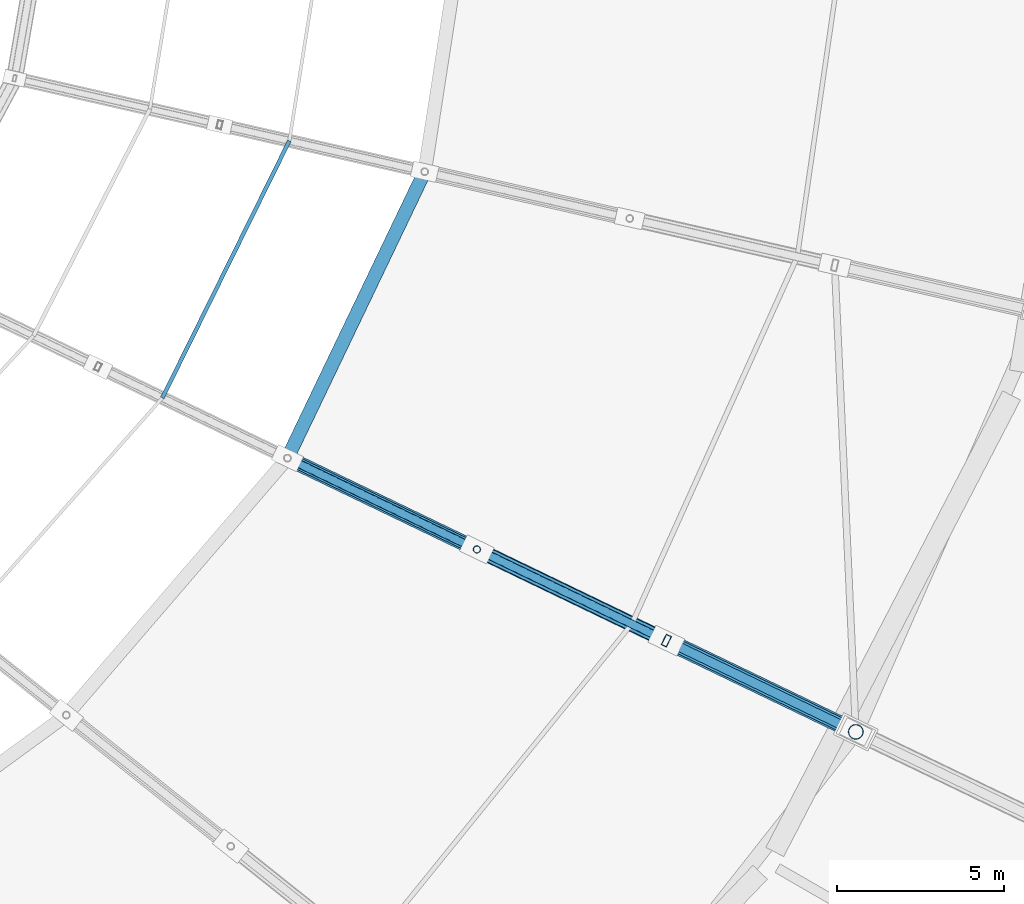
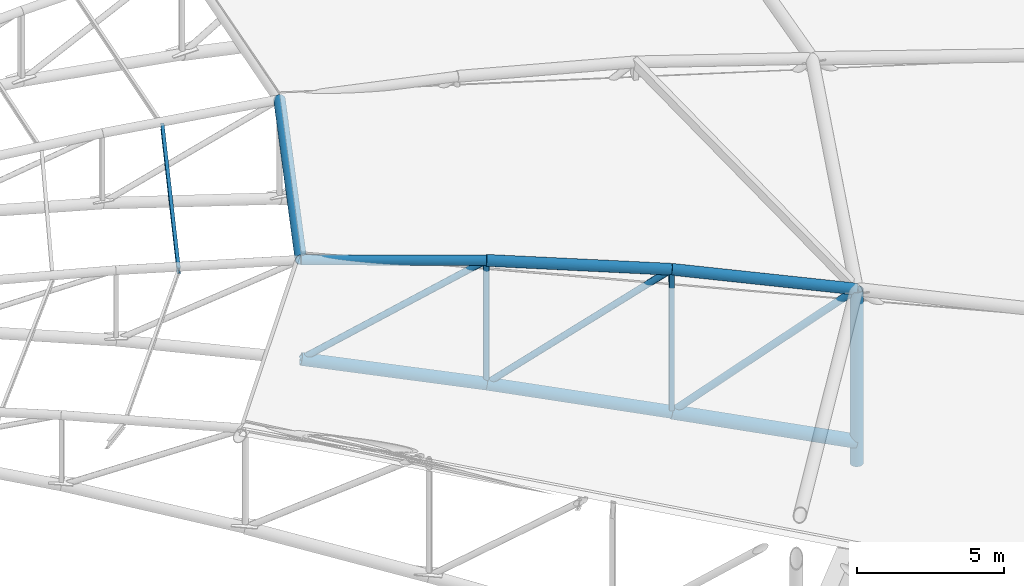
# One storey, part 66 of 108: 14 members.
"""IFC4 building model written with IfcOpenShell, lengths in metres."""

from ifc_helpers import new_model, si_unit, direction, frame, origin, origin_2d, place, context, subcontext, project, spatial, hollow_rectangle, hollow_circle, i_section, extrude, material, material_profile, profile_set, type_object, element, save


model = new_model("IFC4")

# Units and contexts
model_context = context("Model", 3, precision=1e-05, world=origin(), true_north=direction((0.0, 1.0)))
body_context = subcontext(model_context, "Body", "Model", "MODEL_VIEW")
ifc_project = project(units=[si_unit("LENGTHUNIT", "METRE"), si_unit("AREAUNIT", "SQUARE_METRE"), si_unit("VOLUMEUNIT", "CUBIC_METRE"), si_unit("PLANEANGLEUNIT", "RADIAN"), si_unit("MASSUNIT", "GRAM", prefix="KILO")], contexts=[model_context])

# Site, building, storey
site_placement = place(None, origin())
site = spatial("IfcSite", under=ifc_project, at=site_placement, CompositionType="ELEMENT")
building_placement = place(site_placement, origin())
building = spatial("IfcBuilding", under=site, at=building_placement, Name="Zevraka Park Crest Stadium", CompositionType="ELEMENT")
storey_placement = place(building_placement, frame((0.0, 0.0, 29.39990234375)))
storey = spatial("IfcBuildingStorey", under=building, at=storey_placement, Name="RF", CompositionType="ELEMENT", Elevation=29.39990234375)

# Members
ifc_material_1 = material(Name="Steel S355", Category="steel")
ifc_material_profile_1 = material_profile(ifc_material_1, i_section(OverallWidth=0.1201171875, OverallDepth=0.239990234375, WebThickness=0.006103515625, FlangeThickness=0.009765625, at=origin_2d()), Name="IPE 240")
ifc_profile_set_1 = profile_set([ifc_material_profile_1], Name="Steel S355")
member_type_1 = type_object("IfcMemberType", Name="PR01", PredefinedType="PURLIN", material=ifc_profile_set_1)
member_1_placement = place(storey_placement, frame((158.347900390625, 76.18798828125, 9.153076171875), z_axis=(0.442797799381, 0.896621496989, 0.0), x_axis=(-0.896621496989, 0.442797799381, 0.0)))
element("IfcMember", 1, at=member_1_placement, inside=storey, type_object=member_type_1, Name="Canopy Roof Purlin PR01 INNER-27-1", PredefinedType="PURLIN", context=body_context, shape_type="SweptSolid", body=[
    extrude(i_section(OverallWidth=0.1201171875, OverallDepth=0.239990234375, WebThickness=0.006103515625, FlangeThickness=0.009765625, at=origin_2d()), origin(), (0.0, 0.0, 1.0), 8.59130859375),
])
ifc_material_2 = material(Name="Steel S355", Category="steel")
ifc_material_profile_2 = material_profile(ifc_material_2, hollow_circle(Radius=0.25390625, WallThickness=0.030029296875, at=origin_2d()), Name="CHS 508.0x30")
ifc_profile_set_2 = profile_set([ifc_material_profile_2], Name="Steel S355")
member_type_2 = type_object("IfcMemberType", Name="TC01", PredefinedType="CHORD", material=ifc_profile_set_2)
member_2_placement = place(storey_placement, frame((179.1220703125, 66.18408203125, 0.900146484375), z_axis=(-0.874906219459, 0.42125253648, 0.238925527435), x_axis=(-0.433816783994, -0.901001108726, 0.0)))
element("IfcMember", 2, at=member_2_placement, inside=storey, type_object=member_type_2, Name="Roof Truss Bottom Chord TC01 T27-3", PredefinedType="CHORD", context=body_context, shape_type="SweptSolid", body=[
    extrude(hollow_circle(Radius=0.25390625, WallThickness=0.030029296875, at=origin_2d()), origin(), (0.0, 0.0, 1.0), 6.487548828125),
])
ifc_material_3 = material(Name="Steel S355", Category="steel")
ifc_material_profile_3 = material_profile(ifc_material_3, hollow_circle(Radius=0.228515625, WallThickness=0.02490234375, at=origin_2d()), Name="CHS 457.0x25")
ifc_profile_set_3 = profile_set([ifc_material_profile_3], Name="Steel S355")
member_type_3 = type_object("IfcMemberType", Name="TC02", PredefinedType="CHORD", material=ifc_profile_set_3)
member_3_placement = place(storey_placement, frame((179.1220703125, 66.18408203125, 0.0), z_axis=(0.0, 0.0, 1.0), x_axis=(-0.90100131981, 0.43381634559, 0.0)))
element("IfcMember", 3, at=member_3_placement, inside=storey, type_object=member_type_3, Name="Roof Truss Anchor Strut TC02 T27-2", PredefinedType="CHORD", context=body_context, shape_type="SweptSolid", body=[
    extrude(hollow_circle(Radius=0.228515625, WallThickness=0.02490234375, at=origin_2d()), origin(), (0.0, 0.0, 1.0), 7.2001953125),
])
member_4_placement = place(storey_placement, frame((173.446044921875, 68.9169921875, 2.4501953125), z_axis=(-0.876441359224, 0.42214247239, 0.231616659257), x_axis=(-0.433942615061, -0.900940512373, 0.0)))
element("IfcMember", 4, at=member_4_placement, inside=storey, type_object=member_type_3, Name="Roof Truss Bottom Chord TC02 T27-4", PredefinedType="CHORD", context=body_context, shape_type="SweptSolid", body=[
    extrude(hollow_circle(Radius=0.228515625, WallThickness=0.02490234375, at=origin_2d()), origin(), (0.0, 0.0, 1.0), 6.476318359375),
])
member_5_placement = place(storey_placement, frame((167.77001953125, 71.65087890625, 3.9501953125), z_axis=(-0.880989175528, 0.424219270508, 0.209513921093), x_axis=(-0.433848244141, -0.900985960521, 0.0)))
element("IfcMember", 5, at=member_5_placement, inside=storey, type_object=member_type_3, Name="Roof Truss Bottom Chord TC02 T27-5", PredefinedType="CHORD", context=body_context, shape_type="SweptSolid", body=[
    extrude(hollow_circle(Radius=0.228515625, WallThickness=0.02490234375, at=origin_2d()), origin(), (0.0, 0.0, 1.0), 6.44287109375),
])
ifc_material_4 = material(Name="Steel S355", Category="steel")
ifc_material_profile_4 = material_profile(ifc_material_4, hollow_circle(Radius=0.203125, WallThickness=0.02001953125, at=origin_2d()), Name="CHS 406.4x20")
ifc_profile_set_4 = profile_set([ifc_material_profile_4], Name="Steel S355")
member_type_4 = type_object("IfcMemberType", Name="TC03", PredefinedType="CHORD", material=ifc_profile_set_4)
member_6_placement = place(storey_placement, frame((179.1220703125, 66.18408203125, 7.2001953125), z_axis=(-0.886356119911, 0.426765469753, 0.179566317897), x_axis=(-0.433816783994, -0.901001108726, 0.0)))
element("IfcMember", 6, at=member_6_placement, inside=storey, type_object=member_type_4, Name="Roof Truss Top Chord TC03 T27-3", PredefinedType="CHORD", context=body_context, shape_type="SweptSolid", body=[
    extrude(hollow_circle(Radius=0.203125, WallThickness=0.02001953125, at=origin_2d()), origin(), (0.0, 0.0, 1.0), 6.40380859375),
])
member_7_placement = place(storey_placement, frame((173.446044921875, 68.9169921875, 8.35009765625), z_axis=(-0.895431075511, 0.431288966561, 0.110421992064), x_axis=(-0.433942615061, -0.900940512373, 0.0)))
element("IfcMember", 7, at=member_7_placement, inside=storey, type_object=member_type_4, Name="Roof Truss Top Chord TC03 T27-4", PredefinedType="CHORD", context=body_context, shape_type="SweptSolid", body=[
    extrude(hollow_circle(Radius=0.203125, WallThickness=0.02001953125, at=origin_2d()), origin(), (0.0, 0.0, 1.0), 6.3388671875),
])
member_8_placement = place(storey_placement, frame((162.093994140625, 74.384033203125, 9.400146484375), z_axis=(0.432106270743, 0.901822693651, 0.0), x_axis=(-0.901822693651, 0.432106270743, 0.0)))
element("IfcMember", 8, at=member_8_placement, inside=storey, type_object=member_type_4, Name="Roof Canopy Arch Crown Ring Chord TC03 27", PredefinedType="CHORD", context=body_context, shape_type="SweptSolid", body=[
    extrude(hollow_circle(Radius=0.203125, WallThickness=0.02001953125, at=origin_2d()), origin(), (0.0, 0.0, 1.0), 9.516357421875),
])
ifc_material_5 = material(Name="Steel S355", Category="steel")
ifc_material_profile_5 = material_profile(ifc_material_5, hollow_circle(Radius=0.177734375, WallThickness=0.01611328125, at=origin_2d()), Name="CHS 355.6x16")
ifc_profile_set_5 = profile_set([ifc_material_profile_5], Name="Steel S355")
member_type_5 = type_object("IfcMemberType", Name="TC05", PredefinedType="CHORD", material=ifc_profile_set_5)
member_9_placement = place(storey_placement, frame((167.77001953125, 71.65087890625, 9.050048828125), z_axis=(-0.899597897112, 0.433179855399, 0.0554872633), x_axis=(-0.433848244141, -0.900985960521, 0.0)))
element("IfcMember", 9, at=member_9_placement, inside=storey, type_object=member_type_5, Name="Roof Truss Top Chord TC05 T27-5", PredefinedType="CHORD", context=body_context, shape_type="SweptSolid", body=[
    extrude(hollow_circle(Radius=0.177734375, WallThickness=0.01611328125, at=origin_2d()), origin(), (0.0, 0.0, 1.0), 6.3095703125),
])
ifc_material_6 = material(Name="Steel S355", Category="steel")
ifc_material_profile_6 = material_profile(ifc_material_6, hollow_circle(Radius=0.136474609375, WallThickness=0.012451171875, at=origin_2d()), Name="CHS 273.0x12.5")
ifc_profile_set_6 = profile_set([ifc_material_profile_6], Name="Steel S355")
member_type_6 = type_object("IfcMemberType", Name="WB01", PredefinedType="BRACE", material=ifc_profile_set_6)
member_10_placement = place(storey_placement, frame((173.446044921875, 68.9169921875, 2.4501953125), z_axis=(0.719415295857, -0.346386288521, 0.602044991019), x_axis=(0.433816783994, 0.901001108726, 0.0)))
element("IfcMember", 10, at=member_10_placement, inside=storey, type_object=member_type_6, Name="Roof Truss Web Diagonal WB01 T27-3", PredefinedType="BRACE", context=body_context, shape_type="SweptSolid", body=[
    extrude(hollow_circle(Radius=0.136474609375, WallThickness=0.012451171875, at=origin_2d()), origin(), (0.0, 0.0, 1.0), 7.889892578125),
])
ifc_material_7 = material(Name="Steel S355", Category="steel")
ifc_material_profile_7 = material_profile(ifc_material_7, hollow_circle(Radius=0.109619140625, WallThickness=0.010009765625, at=origin_2d()), Name="CHS 219.1x10")
ifc_profile_set_7 = profile_set([ifc_material_profile_7], Name="Steel S355")
member_type_7 = type_object("IfcMemberType", Name="WB02", PredefinedType="BRACE", material=ifc_profile_set_7)
member_11_placement = place(storey_placement, frame((167.77001953125, 71.65087890625, 3.9501953125), z_axis=(0.0, 0.0, 1.0), x_axis=(-0.90100131981, 0.43381634559, 0.0)))
element("IfcMember", 11, at=member_11_placement, inside=storey, type_object=member_type_7, Name="Roof Truss Web Post WB02 T27-4", PredefinedType="BRACE", context=body_context, shape_type="SweptSolid", body=[
    extrude(hollow_circle(Radius=0.109619140625, WallThickness=0.010009765625, at=origin_2d()), origin(), (0.0, 0.0, 1.0), 5.099853515625),
])
ifc_material_8 = material(Name="Steel S355", Category="steel")
ifc_material_profile_8 = material_profile(ifc_material_8, hollow_circle(Radius=0.122314453125, WallThickness=0.012451171875, at=origin_2d()), Name="CHS 244.5x12.5")
ifc_profile_set_8 = profile_set([ifc_material_profile_8], Name="Steel S355")
member_type_8 = type_object("IfcMemberType", Name="WB07", PredefinedType="BRACE", material=ifc_profile_set_8)
member_12_placement = place(storey_placement, frame((167.77001953125, 71.65087890625, 3.9501953125), z_axis=(0.738639259937, -0.355769385039, 0.572573303909), x_axis=(0.433942615061, 0.900940512373, 0.0)))
element("IfcMember", 12, at=member_12_placement, inside=storey, type_object=member_type_8, Name="Roof Truss Web Diagonal WB07 T27-4", PredefinedType="BRACE", context=body_context, shape_type="SweptSolid", body=[
    extrude(hollow_circle(Radius=0.122314453125, WallThickness=0.012451171875, at=origin_2d()), origin(), (0.0, 0.0, 1.0), 7.684326171875),
])
member_13_placement = place(storey_placement, frame((162.093994140625, 74.384033203125, 5.300048828125), z_axis=(0.774204181768, -0.372799510297, 0.511496246374), x_axis=(0.433848244141, 0.900985960521, 0.0)))
element("IfcMember", 13, at=member_13_placement, inside=storey, type_object=member_type_8, Name="Roof Truss Web Diagonal WB07 T27-5", PredefinedType="BRACE", context=body_context, shape_type="SweptSolid", body=[
    extrude(hollow_circle(Radius=0.122314453125, WallThickness=0.012451171875, at=origin_2d()), origin(), (0.0, 0.0, 1.0), 7.33154296875),
])
ifc_material_9 = material(Name="Steel S355", Category="steel")
ifc_material_profile_9 = material_profile(ifc_material_9, hollow_rectangle(XDim=0.175048828125, YDim=0.35009765625, WallThickness=0.012451171875, at=origin_2d()), Name="RHS 350x175x12.5")
ifc_profile_set_9 = profile_set([ifc_material_profile_9], Name="Steel S355")
member_type_9 = type_object("IfcMemberType", Name="WB09", PredefinedType="BRACE", material=ifc_profile_set_9)
member_14_placement = place(storey_placement, frame((173.446044921875, 68.9169921875, 2.4501953125), z_axis=(0.0, 0.0, 1.0), x_axis=(-0.90100131981, 0.43381634559, 0.0)))
element("IfcMember", 14, at=member_14_placement, inside=storey, type_object=member_type_9, Name="Roof Truss Web Post WB09 T27-3", PredefinedType="BRACE", context=body_context, shape_type="SweptSolid", body=[
    extrude(hollow_rectangle(XDim=0.175048828125, YDim=0.35009765625, WallThickness=0.012451171875, at=origin_2d()), origin(), (0.0, 0.0, 1.0), 5.89990234375),
])

save(model, "model.ifc")
